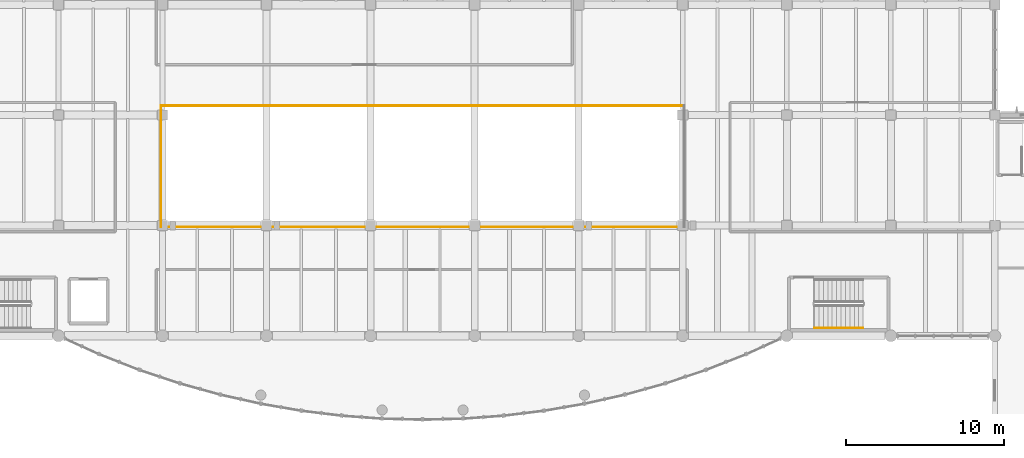
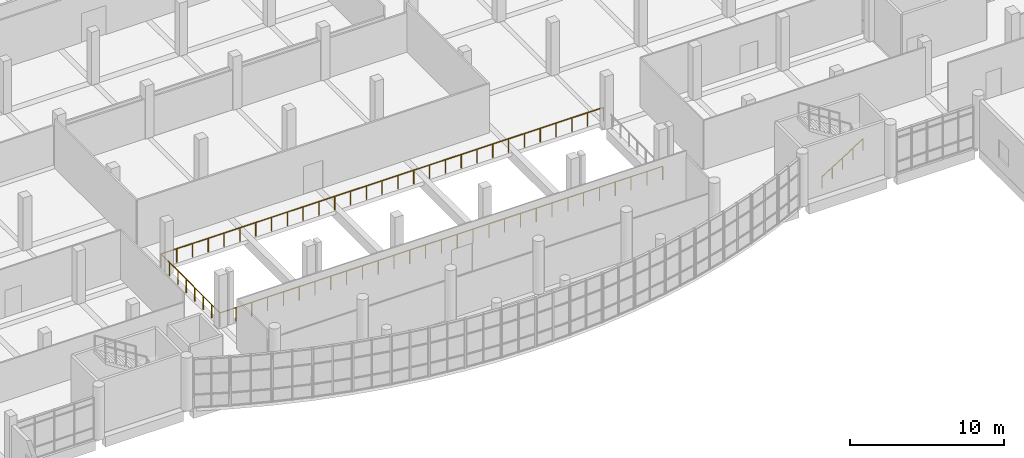
# One storey, part 61 of 68: 4 railings.
"""IFC4 building model written with IfcOpenShell, lengths in metres."""

from ifc_helpers import new_model, si_unit, direction, frame, origin, origin_2d, place, context, subcontext, project, spatial, circle, extrude, material, type_object, element, save


model = new_model("IFC4")

# Units and contexts
model_context = context("Model", 3, precision=1e-05, world=origin(), true_north=direction((0.0, 1.0)))
body_context = subcontext(model_context, "Body", "Model", "MODEL_VIEW")
ifc_project = project(units=[si_unit("LENGTHUNIT", "METRE"), si_unit("AREAUNIT", "SQUARE_METRE"), si_unit("VOLUMEUNIT", "CUBIC_METRE"), si_unit("PLANEANGLEUNIT", "RADIAN"), si_unit("MASSUNIT", "GRAM", prefix="KILO")], contexts=[model_context])

# Site, building, storey
site_placement = place(None, origin())
site = spatial("IfcSite", under=ifc_project, at=site_placement, CompositionType="ELEMENT")
building_placement = place(site_placement, origin())
building = spatial("IfcBuilding", under=site, at=building_placement, Name="Ciguamira Faculty of Natural Sciences", CompositionType="ELEMENT")
storey_placement = place(building_placement, frame((0.0, 0.0, 4.199951171875)))
storey = spatial("IfcBuildingStorey", under=building, at=storey_placement, Name="L01", CompositionType="ELEMENT", Elevation=4.199951171875)

# Railings
ifc_material_1 = material(Name="Stainless steel balustrade", Category="steel")
railing_type_1 = type_object("IfcRailingType", Name="Guardrail_GR01", PredefinedType="GUARDRAIL", material=ifc_material_1)
railing_1_placement = place(storey_placement, frame((70.39990234375, 16.89990234375, 0.0)))
element("IfcRailing", 1, at=railing_1_placement, inside=storey, type_object=railing_type_1, Name="L01 atrium void guardrail S", PredefinedType="GUARDRAIL", context=body_context, shape_type="SweptSolid", body=[
    extrude(circle(Radius=0.02392578125, at=origin_2d()), frame((0.0, 0.0, 1.076171875), z_axis=(1.0, 0.0, 0.0), x_axis=(0.0, 1.0, 0.0)), (0.0, 0.0, 1.0), 33.2001953125),
    extrude(circle(Radius=0.02099609375, at=origin_2d()), origin(), (0.0, 0.0, 1.0), 1.052001953125),
    extrude(circle(Radius=0.02099609375, at=origin_2d()), frame((1.185791015625, 0.0, 0.0)), (0.0, 0.0, 1.0), 1.052001953125),
    extrude(circle(Radius=0.02099609375, at=origin_2d()), frame((2.371337890625, 0.0, 0.0)), (0.0, 0.0, 1.0), 1.052001953125),
    extrude(circle(Radius=0.02099609375, at=origin_2d()), frame((3.55712890625, 0.0, 0.0)), (0.0, 0.0, 1.0), 1.052001953125),
    extrude(circle(Radius=0.02099609375, at=origin_2d()), frame((4.742919921875, 0.0, 0.0)), (0.0, 0.0, 1.0), 1.052001953125),
    extrude(circle(Radius=0.02099609375, at=origin_2d()), frame((5.9287109375, 0.0, 0.0)), (0.0, 0.0, 1.0), 1.052001953125),
    extrude(circle(Radius=0.02099609375, at=origin_2d()), frame((7.1142578125, 0.0, 0.0)), (0.0, 0.0, 1.0), 1.052001953125),
    extrude(circle(Radius=0.02099609375, at=origin_2d()), frame((8.300048828125, 0.0, 0.0)), (0.0, 0.0, 1.0), 1.052001953125),
    extrude(circle(Radius=0.02099609375, at=origin_2d()), frame((9.48583984375, 0.0, 0.0)), (0.0, 0.0, 1.0), 1.052001953125),
    extrude(circle(Radius=0.02099609375, at=origin_2d()), frame((10.67138671875, 0.0, 0.0)), (0.0, 0.0, 1.0), 1.052001953125),
    extrude(circle(Radius=0.02099609375, at=origin_2d()), frame((11.857177734375, 0.0, 0.0)), (0.0, 0.0, 1.0), 1.052001953125),
    extrude(circle(Radius=0.02099609375, at=origin_2d()), frame((13.04296875, 0.0, 0.0)), (0.0, 0.0, 1.0), 1.052001953125),
    extrude(circle(Radius=0.02099609375, at=origin_2d()), frame((14.228759765625, 0.0, 0.0)), (0.0, 0.0, 1.0), 1.052001953125),
    extrude(circle(Radius=0.02099609375, at=origin_2d()), frame((15.414306640625, 0.0, 0.0)), (0.0, 0.0, 1.0), 1.052001953125),
    extrude(circle(Radius=0.02099609375, at=origin_2d()), frame((16.60009765625, 0.0, 0.0)), (0.0, 0.0, 1.0), 1.052001953125),
    extrude(circle(Radius=0.02099609375, at=origin_2d()), frame((17.785888671875, 0.0, 0.0)), (0.0, 0.0, 1.0), 1.052001953125),
    extrude(circle(Radius=0.02099609375, at=origin_2d()), frame((18.971435546875, 0.0, 0.0)), (0.0, 0.0, 1.0), 1.052001953125),
    extrude(circle(Radius=0.02099609375, at=origin_2d()), frame((20.1572265625, 0.0, 0.0)), (0.0, 0.0, 1.0), 1.052001953125),
    extrude(circle(Radius=0.02099609375, at=origin_2d()), frame((21.343017578125, 0.0, 0.0)), (0.0, 0.0, 1.0), 1.052001953125),
    extrude(circle(Radius=0.02099609375, at=origin_2d()), frame((22.52880859375, 0.0, 0.0)), (0.0, 0.0, 1.0), 1.052001953125),
    extrude(circle(Radius=0.02099609375, at=origin_2d()), frame((23.71435546875, 0.0, 0.0)), (0.0, 0.0, 1.0), 1.052001953125),
    extrude(circle(Radius=0.02099609375, at=origin_2d()), frame((24.900146484375, 0.0, 0.0)), (0.0, 0.0, 1.0), 1.052001953125),
    extrude(circle(Radius=0.02099609375, at=origin_2d()), frame((26.0859375, 0.0, 0.0)), (0.0, 0.0, 1.0), 1.052001953125),
    extrude(circle(Radius=0.02099609375, at=origin_2d()), frame((27.271484375, 0.0, 0.0)), (0.0, 0.0, 1.0), 1.052001953125),
    extrude(circle(Radius=0.02099609375, at=origin_2d()), frame((28.457275390625, 0.0, 0.0)), (0.0, 0.0, 1.0), 1.052001953125),
    extrude(circle(Radius=0.02099609375, at=origin_2d()), frame((29.64306640625, 0.0, 0.0)), (0.0, 0.0, 1.0), 1.052001953125),
    extrude(circle(Radius=0.02099609375, at=origin_2d()), frame((30.828857421875, 0.0, 0.0)), (0.0, 0.0, 1.0), 1.052001953125),
    extrude(circle(Radius=0.02099609375, at=origin_2d()), frame((32.014404296875, 0.0, 0.0)), (0.0, 0.0, 1.0), 1.052001953125),
    extrude(circle(Radius=0.02099609375, at=origin_2d()), frame((33.2001953125, 0.0, 0.0)), (0.0, 0.0, 1.0), 1.052001953125),
])
railing_2_placement = place(storey_placement, frame((70.39990234375, 24.60009765625, 0.0)))
element("IfcRailing", 2, at=railing_2_placement, inside=storey, type_object=railing_type_1, Name="L01 atrium void guardrail N", PredefinedType="GUARDRAIL", context=body_context, shape_type="SweptSolid", body=[
    extrude(circle(Radius=0.02392578125, at=origin_2d()), frame((0.0, 0.0, 1.076171875), z_axis=(1.0, 0.0, 0.0), x_axis=(0.0, 1.0, 0.0)), (0.0, 0.0, 1.0), 33.2001953125),
    extrude(circle(Radius=0.02099609375, at=origin_2d()), origin(), (0.0, 0.0, 1.0), 1.052001953125),
    extrude(circle(Radius=0.02099609375, at=origin_2d()), frame((1.185791015625, 0.0, 0.0)), (0.0, 0.0, 1.0), 1.052001953125),
    extrude(circle(Radius=0.02099609375, at=origin_2d()), frame((2.371337890625, 0.0, 0.0)), (0.0, 0.0, 1.0), 1.052001953125),
    extrude(circle(Radius=0.02099609375, at=origin_2d()), frame((3.55712890625, 0.0, 0.0)), (0.0, 0.0, 1.0), 1.052001953125),
    extrude(circle(Radius=0.02099609375, at=origin_2d()), frame((4.742919921875, 0.0, 0.0)), (0.0, 0.0, 1.0), 1.052001953125),
    extrude(circle(Radius=0.02099609375, at=origin_2d()), frame((5.9287109375, 0.0, 0.0)), (0.0, 0.0, 1.0), 1.052001953125),
    extrude(circle(Radius=0.02099609375, at=origin_2d()), frame((7.1142578125, 0.0, 0.0)), (0.0, 0.0, 1.0), 1.052001953125),
    extrude(circle(Radius=0.02099609375, at=origin_2d()), frame((8.300048828125, 0.0, 0.0)), (0.0, 0.0, 1.0), 1.052001953125),
    extrude(circle(Radius=0.02099609375, at=origin_2d()), frame((9.48583984375, 0.0, 0.0)), (0.0, 0.0, 1.0), 1.052001953125),
    extrude(circle(Radius=0.02099609375, at=origin_2d()), frame((10.67138671875, 0.0, 0.0)), (0.0, 0.0, 1.0), 1.052001953125),
    extrude(circle(Radius=0.02099609375, at=origin_2d()), frame((11.857177734375, 0.0, 0.0)), (0.0, 0.0, 1.0), 1.052001953125),
    extrude(circle(Radius=0.02099609375, at=origin_2d()), frame((13.04296875, 0.0, 0.0)), (0.0, 0.0, 1.0), 1.052001953125),
    extrude(circle(Radius=0.02099609375, at=origin_2d()), frame((14.228759765625, 0.0, 0.0)), (0.0, 0.0, 1.0), 1.052001953125),
    extrude(circle(Radius=0.02099609375, at=origin_2d()), frame((15.414306640625, 0.0, 0.0)), (0.0, 0.0, 1.0), 1.052001953125),
    extrude(circle(Radius=0.02099609375, at=origin_2d()), frame((16.60009765625, 0.0, 0.0)), (0.0, 0.0, 1.0), 1.052001953125),
    extrude(circle(Radius=0.02099609375, at=origin_2d()), frame((17.785888671875, 0.0, 0.0)), (0.0, 0.0, 1.0), 1.052001953125),
    extrude(circle(Radius=0.02099609375, at=origin_2d()), frame((18.971435546875, 0.0, 0.0)), (0.0, 0.0, 1.0), 1.052001953125),
    extrude(circle(Radius=0.02099609375, at=origin_2d()), frame((20.1572265625, 0.0, 0.0)), (0.0, 0.0, 1.0), 1.052001953125),
    extrude(circle(Radius=0.02099609375, at=origin_2d()), frame((21.343017578125, 0.0, 0.0)), (0.0, 0.0, 1.0), 1.052001953125),
    extrude(circle(Radius=0.02099609375, at=origin_2d()), frame((22.52880859375, 0.0, 0.0)), (0.0, 0.0, 1.0), 1.052001953125),
    extrude(circle(Radius=0.02099609375, at=origin_2d()), frame((23.71435546875, 0.0, 0.0)), (0.0, 0.0, 1.0), 1.052001953125),
    extrude(circle(Radius=0.02099609375, at=origin_2d()), frame((24.900146484375, 0.0, 0.0)), (0.0, 0.0, 1.0), 1.052001953125),
    extrude(circle(Radius=0.02099609375, at=origin_2d()), frame((26.0859375, 0.0, 0.0)), (0.0, 0.0, 1.0), 1.052001953125),
    extrude(circle(Radius=0.02099609375, at=origin_2d()), frame((27.271484375, 0.0, 0.0)), (0.0, 0.0, 1.0), 1.052001953125),
    extrude(circle(Radius=0.02099609375, at=origin_2d()), frame((28.457275390625, 0.0, 0.0)), (0.0, 0.0, 1.0), 1.052001953125),
    extrude(circle(Radius=0.02099609375, at=origin_2d()), frame((29.64306640625, 0.0, 0.0)), (0.0, 0.0, 1.0), 1.052001953125),
    extrude(circle(Radius=0.02099609375, at=origin_2d()), frame((30.828857421875, 0.0, 0.0)), (0.0, 0.0, 1.0), 1.052001953125),
    extrude(circle(Radius=0.02099609375, at=origin_2d()), frame((32.014404296875, 0.0, 0.0)), (0.0, 0.0, 1.0), 1.052001953125),
    extrude(circle(Radius=0.02099609375, at=origin_2d()), frame((33.2001953125, 0.0, 0.0)), (0.0, 0.0, 1.0), 1.052001953125),
])
railing_3_placement = place(storey_placement, frame((70.39990234375, 16.89990234375, 0.0)))
element("IfcRailing", 3, at=railing_3_placement, inside=storey, type_object=railing_type_1, Name="L01 atrium void guardrail W", PredefinedType="GUARDRAIL", context=body_context, shape_type="SweptSolid", body=[
    extrude(circle(Radius=0.02392578125, at=origin_2d()), frame((0.0, 0.0, 1.076171875), z_axis=(0.0, 1.0, 0.0), x_axis=(-1.0, 0.0, 0.0)), (0.0, 0.0, 1.0), 7.7001953125),
    extrude(circle(Radius=0.02099609375, at=origin_2d()), origin(), (0.0, 0.0, 1.0), 1.052001953125),
    extrude(circle(Radius=0.02099609375, at=origin_2d()), frame((0.0, 1.10009765625, 0.0)), (0.0, 0.0, 1.0), 1.052001953125),
    extrude(circle(Radius=0.02099609375, at=origin_2d()), frame((0.0, 2.199951171875, 0.0)), (0.0, 0.0, 1.0), 1.052001953125),
    extrude(circle(Radius=0.02099609375, at=origin_2d()), frame((0.0, 3.300048828125, 0.0)), (0.0, 0.0, 1.0), 1.052001953125),
    extrude(circle(Radius=0.02099609375, at=origin_2d()), frame((0.0, 4.400146484375, 0.0)), (0.0, 0.0, 1.0), 1.052001953125),
    extrude(circle(Radius=0.02099609375, at=origin_2d()), frame((0.0, 5.500244140625, 0.0)), (0.0, 0.0, 1.0), 1.052001953125),
    extrude(circle(Radius=0.02099609375, at=origin_2d()), frame((0.0, 6.60009765625, 0.0)), (0.0, 0.0, 1.0), 1.052001953125),
    extrude(circle(Radius=0.02099609375, at=origin_2d()), frame((0.0, 7.7001953125, 0.0)), (0.0, 0.0, 1.0), 1.052001953125),
])
ifc_material_2 = material(Name="Stainless steel handrail", Category="steel")
railing_type_2 = type_object("IfcRailingType", Name="Handrail_HR01", PredefinedType="HANDRAIL", material=ifc_material_2)
railing_4_placement = place(storey_placement, frame((111.860107421875, 10.5, 0.35009765625)))
element("IfcRailing", 4, at=railing_4_placement, inside=storey, type_object=railing_type_2, Name="L01 ST-A2 stair handrail 1", PredefinedType="HANDRAIL", context=body_context, shape_type="SweptSolid", body=[
    extrude(circle(Radius=0.02392578125, at=origin_2d()), frame((0.0, 0.0, 0.89111328125), z_axis=(0.847979421464, 0.0, 0.530029150871), x_axis=(0.0, 1.0, 0.0)), (0.0, 0.0, 1.0), 3.632080078125),
    extrude(circle(Radius=0.02099609375, at=origin_2d()), origin(), (0.0, 0.0, 1.0), 0.866943359375),
    extrude(circle(Radius=0.02099609375, at=origin_2d()), frame((0.77001953125, 0.0, 0.481201171875)), (0.0, 0.0, 1.0), 0.866943359375),
    extrude(circle(Radius=0.02099609375, at=origin_2d()), frame((1.5400390625, 0.0, 0.96240234375)), (0.0, 0.0, 1.0), 0.866943359375),
    extrude(circle(Radius=0.02099609375, at=origin_2d()), frame((2.309814453125, 0.0, 1.44384765625)), (0.0, 0.0, 1.0), 0.866943359375),
    extrude(circle(Radius=0.02099609375, at=origin_2d()), frame((3.079833984375, 0.0, 1.925048828125)), (0.0, 0.0, 1.0), 0.866943359375),
])

save(model, "model.ifc")
